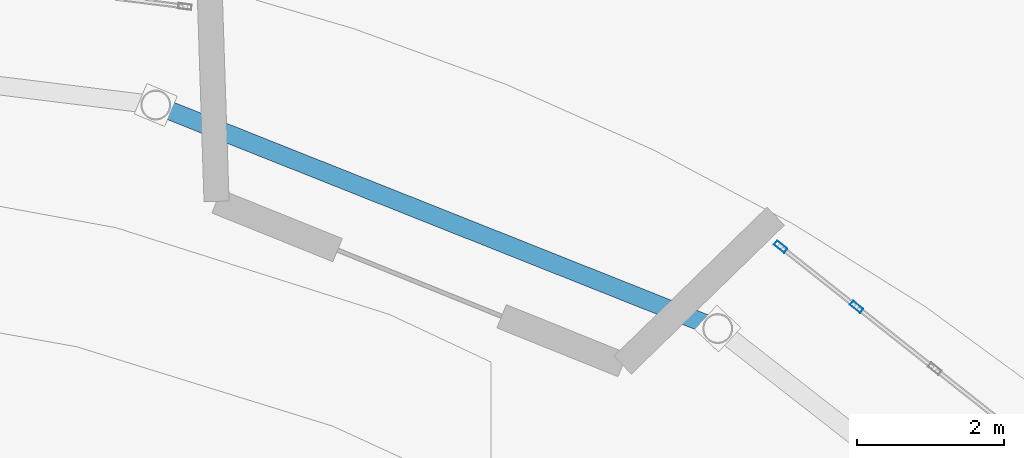
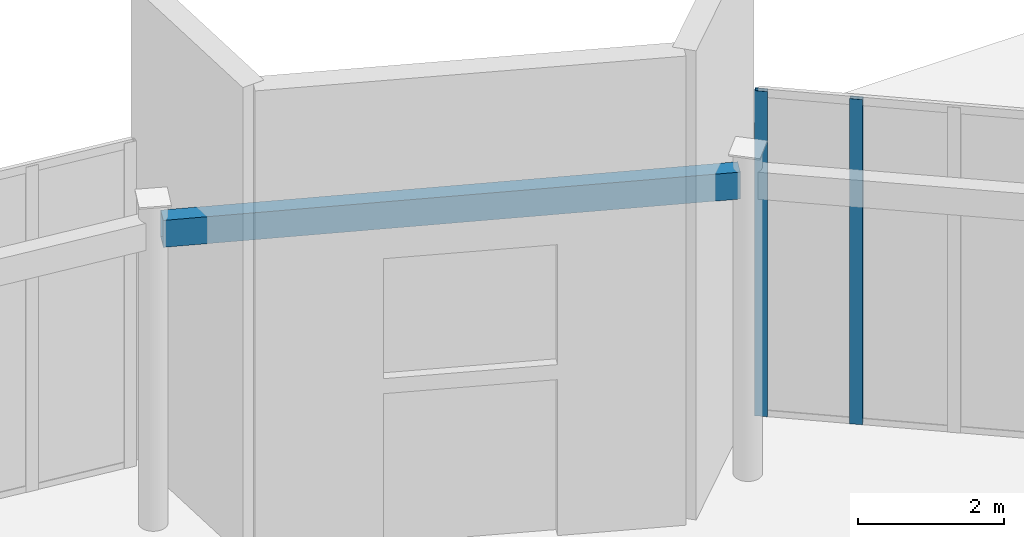
# One storey, part 41 of 94: 2 members, 1 beam, 1 element without a shape of its own.
"""IFC4 building model written with IfcOpenShell, lengths in metres."""

from ifc_helpers import new_model, si_unit, direction, frame, origin, origin_2d, place, context, subcontext, project, spatial, hollow_rectangle, extrude, material, layer, layer_set, material_profile, profile_set, type_object, element, aggregate, save


model = new_model("IFC4")

# Units and contexts
model_context = context("Model", 3, precision=1e-05, world=origin(), true_north=direction((0.0, 1.0)))
body_context = subcontext(model_context, "Body", "Model", "MODEL_VIEW")
ifc_project = project(units=[si_unit("LENGTHUNIT", "METRE"), si_unit("AREAUNIT", "SQUARE_METRE"), si_unit("VOLUMEUNIT", "CUBIC_METRE"), si_unit("PLANEANGLEUNIT", "RADIAN"), si_unit("MASSUNIT", "GRAM", prefix="KILO")], contexts=[model_context])

# Site, building, storey
site_placement = place(None, origin())
site = spatial("IfcSite", under=ifc_project, at=site_placement, CompositionType="ELEMENT")
building_placement = place(site_placement, origin())
building = spatial("IfcBuilding", under=site, at=building_placement, Name="Sollismere Congress Hotel", CompositionType="ELEMENT")
storey_placement = place(building_placement, origin())
storey = spatial("IfcBuildingStorey", under=building, at=storey_placement, Name="L00", CompositionType="ELEMENT", Elevation=0.0)

# Beam
ifc_material_1 = material(Name="Steel ASTM A500 Grade C", Category="steel")
ifc_material_profile_1 = material_profile(ifc_material_1, hollow_rectangle(XDim=0.25, YDim=0.449951171875, WallThickness=0.01611328125, at=origin_2d()), Name="HSS450X250X16")
ifc_profile_set_1 = profile_set([ifc_material_profile_1], Name="Steel ASTM A500 Grade C")
beam_type = type_object("IfcBeamType", Name="BM-BX450", PredefinedType="HOLLOWCORE", material=ifc_profile_set_1)
beam_placement = place(storey_placement, frame((44.96435546875, 107.716796875, 4.889892578125), z_axis=(-0.92919785881, 0.369582655414, 0.0), x_axis=(-0.369582655414, -0.92919785881, 0.0)))
element("IfcBeam", 1, at=beam_placement, inside=storey, type_object=beam_type, Name="Beam BM-L00-4169", PredefinedType="HOLLOWCORE", context=body_context, shape_type="SweptSolid", body=[
    extrude(hollow_rectangle(XDim=0.25, YDim=0.449951171875, WallThickness=0.01611328125, at=origin_2d()), origin(), (0.0, 0.0, 1.0), 7.96533203125),
])

# Curtain wall, members
ifc_material_2 = material(Name="Anodized Bronze Curtain Wall & Low-E Triple Glazing", Category="glass")
ifc_layer = layer(ifc_material_2, 0.199951171875, Name="Anodized Bronze Curtain Wall & Low-E Triple Glazing")
ifc_layer_set = layer_set([ifc_layer], Name="Anodized Bronze Curtain Wall & Low-E Triple Glazing")
curtain_wall_type = type_object("IfcCurtainWallType", Name="CW-GLZ36", PredefinedType="USERDEFINED", material=ifc_layer_set)
curtain_wall_placement = place(storey_placement, origin())
curtain_wall = element("IfcCurtainWall", 2, at=curtain_wall_placement, inside=storey, type_object=curtain_wall_type, Name="Unitised curtain wall CW-L00-002", ObjectType="UNITISED CURTAIN WALL", PredefinedType="USERDEFINED")
ifc_material_3 = material(Name="Anodized Aluminum 6063-T6", Category="aluminium")
ifc_material_profile_2 = material_profile(ifc_material_3, hollow_rectangle(XDim=0.074951171875, YDim=0.179931640625, WallThickness=0.0048828125, at=origin_2d()), Name="ALU180X75X5")
ifc_profile_set_2 = profile_set([ifc_material_profile_2], Name="Anodized Aluminum 6063-T6")
member_type = type_object("IfcMemberType", Name="ML-CW180", PredefinedType="MULLION", material=ifc_profile_set_2)
member_1_placement = place(storey_placement, frame((46.958984375, 107.96630859375, 0.0), z_axis=(0.0, 0.0, 1.0), x_axis=(-0.620532077362, -0.784181063891, 0.0)))
member_1 = element("IfcMember", 3, at=member_1_placement, type_object=member_type, Name="CWL-CW-L00-002-ML03", PredefinedType="MULLION", context=body_context, shape_type="SweptSolid", body=[
    extrude(hollow_rectangle(XDim=0.074951171875, YDim=0.179931640625, WallThickness=0.0048828125, at=origin_2d()), origin(), (0.0, 0.0, 1.0), 5.419921875),
])
member_2_placement = place(storey_placement, frame((45.9287109375, 108.781494140625, 0.0), z_axis=(0.0, 0.0, 1.0), x_axis=(-0.620532077362, -0.784181063891, 0.0)))
member_2 = element("IfcMember", 4, at=member_2_placement, type_object=member_type, Name="CWL-CW-L00-002-ML04", PredefinedType="MULLION", context=body_context, shape_type="SweptSolid", body=[
    extrude(hollow_rectangle(XDim=0.074951171875, YDim=0.179931640625, WallThickness=0.0048828125, at=origin_2d()), origin(), (0.0, 0.0, 1.0), 5.419921875),
])
aggregate(curtain_wall, [member_1, member_2])

save(model, "model.ifc")
